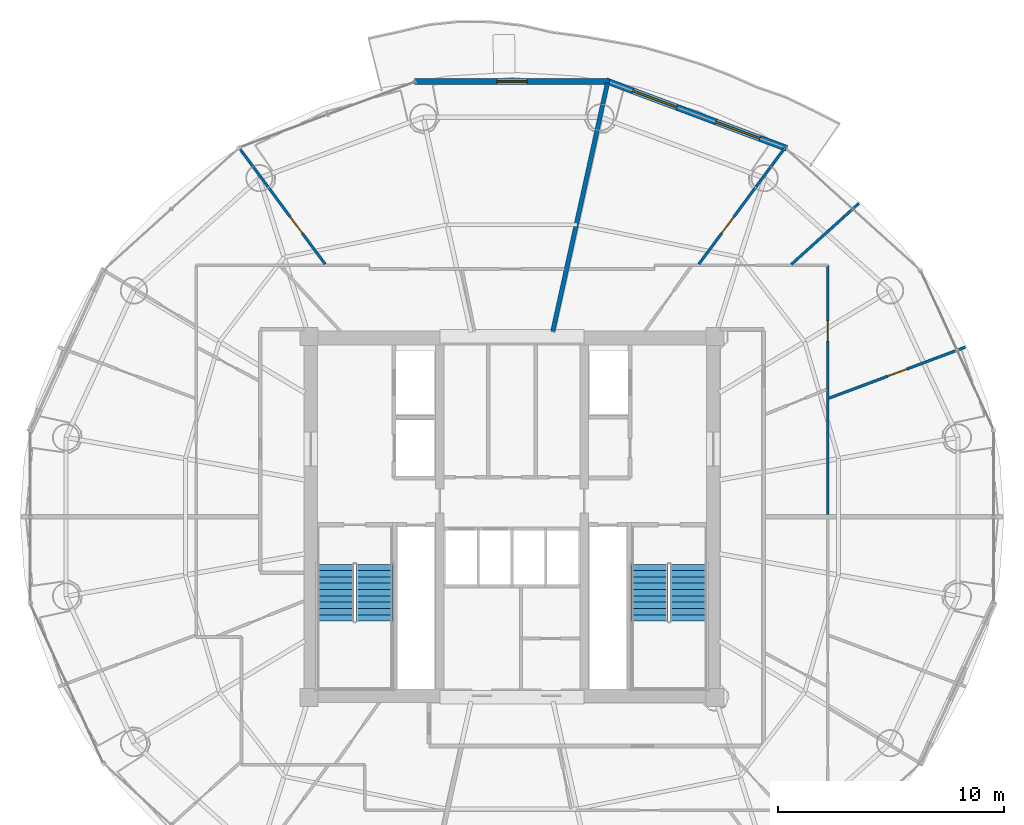
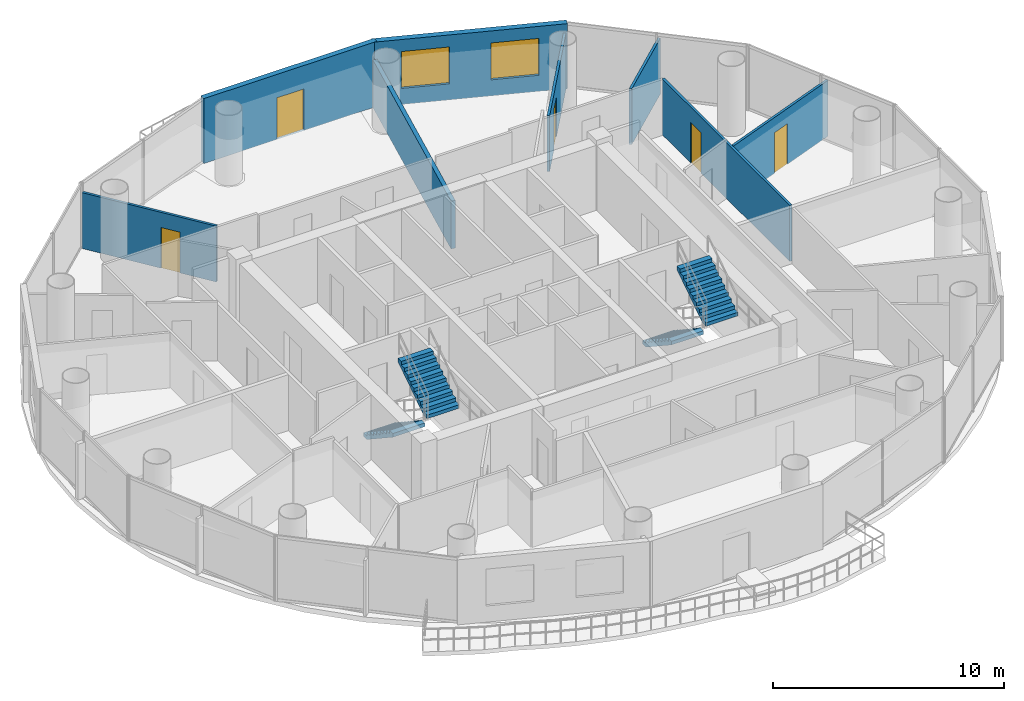
# One storey, part 23 of 26: 8 walls, 5 doors, 4 stair flights, 2 windows, 7 openings, 2 elements without a shape of their own.
"""IFC4 building model written with IfcOpenShell, lengths in metres."""

from ifc_helpers import new_model, si_unit, direction, frame, frame_2d, origin, place, context, subcontext, project, spatial, polyline, rectangle, outline, extrude, source, transform, mapped, material, layer, layer_set, type_object, element, fill, aggregate, save


model = new_model("IFC4")

# Units and contexts
model_context = context("Model", 3, precision=1e-05, world=origin(), true_north=direction((-0.2419218956, 0.970295726276)))
body_context = subcontext(model_context, "Body", "Model", "MODEL_VIEW")
ifc_project = project(units=[si_unit("LENGTHUNIT", "METRE"), si_unit("AREAUNIT", "SQUARE_METRE"), si_unit("VOLUMEUNIT", "CUBIC_METRE"), si_unit("PLANEANGLEUNIT", "RADIAN"), si_unit("MASSUNIT", "GRAM", prefix="KILO")], contexts=[model_context])

# Site, building, storey
site_placement = place(None, origin())
site = spatial("IfcSite", under=ifc_project, at=site_placement, CompositionType="ELEMENT")
building_placement = place(site_placement, origin())
building = spatial("IfcBuilding", under=site, at=building_placement, Name="Cobrevalo Terracotta Tower", CompositionType="ELEMENT")
storey_placement = place(building_placement, frame((0.0, 0.0, 217.10009765625)))
storey = spatial("IfcBuildingStorey", under=building, at=storey_placement, Name="L57", CompositionType="ELEMENT", Elevation=217.10009765625)

# Wall
ifc_material_1 = material(Name="Autoclaved aerated concrete block", Category="concrete")
ifc_layer_1 = layer(ifc_material_1, 0.199951171875)
ifc_layer_set_1 = layer_set([ifc_layer_1], Name="Autoclaved aerated concrete block")
wall_type_1 = type_object("IfcWallType", Name="Fire-rated stair, shaft & demising masonry wall 200 mm", PredefinedType="PARTITIONING", material=ifc_layer_set_1)
wall_1_placement = place(storey_placement, frame((39.810791015625, 35.02685546875, 0.0), z_axis=(0.0, 0.0, 1.0), x_axis=(0.214966857327, 0.976621344356, 0.0)))
element("IfcWall", 1, at=wall_1_placement, inside=storey, type_object=wall_type_1, Name="L57 interior partition IW-L57-DEM-2", PredefinedType="PARTITIONING", context=body_context, shape_type="SweptSolid", body=[
    extrude(rectangle(XDim=11.25830078125, YDim=0.199951171875, at=frame_2d((5.629150390625, 0.0))), origin(), (0.0, 0.0, 1.0), 2.52001953125),
])

# Wall, openings, windows
ifc_layer_2 = layer(ifc_material_1, 0.280029296875)
ifc_layer_set_2 = layer_set([ifc_layer_2], Name="Autoclaved aerated concrete block")
wall_type_2 = type_object("IfcWallType", Name="Insulated tower spandrel & pier wall 280 mm with terracotta rainscreen", PredefinedType="SOLIDWALL", material=ifc_layer_set_2)
wall_2_placement = place(storey_placement, frame((50.169677734375, 43.126953125, 0.0), z_axis=(0.0, 0.0, 1.0), x_axis=(-0.936556918375, 0.350515532672, 0.0)))
wall_2 = element("IfcWall", 2, at=wall_2_placement, inside=storey, type_object=wall_type_2, Name="L57 terracotta rainscreen pier wall S03", PredefinedType="SOLIDWALL", context=body_context, shape_type="SweptSolid", body=[
    extrude(rectangle(XDim=8.539306640625, YDim=0.280029296875, at=frame_2d((4.26953125, 0.0))), origin(), (0.0, 0.0, 1.0), 3.434814453125),
])
opening_1_placement = place(wall_2_placement, frame((1.255615234375, 0.0, 0.85009765625)))
opening_1 = element("IfcOpeningElement", 3, at=opening_1_placement, cuts=wall_2, Name="Opening WN-10", PredefinedType="OPENING", context=body_context, shape_type="SweptSolid", body=[
    extrude(rectangle(XDim=2.10009765625, YDim=1.949951171875, at=frame_2d((1.050048828125, 0.97509765625))), frame((0.0, 0.14990234375, 0.0), z_axis=(0.0, -1.0, 0.0), x_axis=(1.0, 0.0, 0.0)), (0.0, 0.0, 1.0), 0.300048828125),
])
opening_2_placement = place(wall_2_placement, frame((5.18359375, 0.0, 0.85009765625)))
opening_2 = element("IfcOpeningElement", 4, at=opening_2_placement, cuts=wall_2, Name="Opening WN-10", PredefinedType="OPENING", context=body_context, shape_type="SweptSolid", body=[
    extrude(rectangle(XDim=2.10009765625, YDim=1.949951171875, at=frame_2d((1.050048828125, 0.97509765625))), frame((0.0, 0.14990234375, 0.0), z_axis=(0.0, -1.0, 0.0), x_axis=(1.0, 0.0, 0.0)), (0.0, 0.0, 1.0), 0.300048828125),
])
ifc_material_2 = material(Name="Solar-control low-E double glazing", Category="glass")
window_type = type_object("IfcWindowType", Name="Wide panoramic low-E aluminium window 2100x1950", PartitioningType="SINGLE_PANEL", PredefinedType="WINDOW", material=ifc_material_2)
shared_shape_1 = source(origin(), body_context, "Body", "SweptSolid", [
    extrude(rectangle(XDim=2.10009765625, YDim=1.949951171875, at=frame_2d((1.050048828125, 0.97509765625))), frame((0.0, 0.030029296875, 0.0), z_axis=(0.0, -1.0, 0.0), x_axis=(1.0, 0.0, 0.0)), (0.0, 0.0, 1.0), 0.06005859375),
])
window_1_placement = place(opening_1_placement, origin())
window_1 = element("IfcWindow", 5, at=window_1_placement, inside=storey, type_object=window_type, Name="L57 suite window S03A", OverallHeight=1.949951171875, OverallWidth=2.10009765625, PartitioningType="SINGLE_PANEL", PredefinedType="WINDOW", context=body_context, shape_type="MappedRepresentation", body=[
    mapped(shared_shape_1, transform((0.0, 0.0, 0.0), scale=1.0)),
])
fill(opening_1, window_1)
window_2_placement = place(opening_2_placement, origin())
window_2 = element("IfcWindow", 6, at=window_2_placement, inside=storey, type_object=window_type, Name="L57 suite window S03B", OverallHeight=1.949951171875, OverallWidth=2.10009765625, PartitioningType="SINGLE_PANEL", PredefinedType="WINDOW", context=body_context, shape_type="MappedRepresentation", body=[
    mapped(shared_shape_1, transform((0.0, 0.0, 0.0), scale=1.0)),
])
fill(opening_2, window_2)

# Wall, opening, door
ifc_layer_3 = layer(ifc_material_1, 0.260009765625)
ifc_layer_set_3 = layer_set([ifc_layer_3], Name="Autoclaved aerated concrete block")
wall_type_3 = type_object("IfcWallType", Name="Recessed balcony loggia insulated exterior wall 260 mm", PredefinedType="SOLIDWALL", material=ifc_layer_set_3)
wall_3_placement = place(storey_placement, frame((42.3271484375, 46.092041015625, 0.0), z_axis=(0.0, 0.0, 1.0), x_axis=(-1.0, 0.0, 0.0)))
wall_3 = element("IfcWall", 7, at=wall_3_placement, inside=storey, type_object=wall_type_3, Name="L57 balcony loggia wall S04", PredefinedType="SOLIDWALL", context=body_context, shape_type="SweptSolid", body=[
    extrude(rectangle(XDim=8.654296875, YDim=0.260009765625, at=frame_2d((4.3271484375, 0.0))), origin(), (0.0, 0.0, 1.0), 3.434814453125),
])
opening_3_placement = place(wall_3_placement, frame((3.652099609375, 0.0, 0.0)))
opening_3 = element("IfcOpeningElement", 8, at=opening_3_placement, cuts=wall_3, Name="Opening ED-05", PredefinedType="OPENING", context=body_context, shape_type="SweptSolid", body=[
    extrude(rectangle(XDim=1.35009765625, YDim=2.199951171875, at=frame_2d((0.675048828125, 1.10009765625))), frame((0.0, 0.14013671875, 0.0), z_axis=(0.0, -1.0, 0.0), x_axis=(1.0, 0.0, 0.0)), (0.0, 0.0, 1.0), 0.280029296875),
])
ifc_material_3 = material(Name="Anodized aluminium and laminated glass", Category="aluminium")
door_type_1 = type_object("IfcDoorType", Name="Suite balcony acoustic glazed terrace door 1350x2200", OperationType="NOTDEFINED", PredefinedType="DOOR", material=ifc_material_3)
shared_shape_2 = source(origin(), body_context, "Body", "SweptSolid", [
    extrude(rectangle(XDim=1.35009765625, YDim=2.199951171875, at=frame_2d((0.675048828125, 1.10009765625))), frame((0.0, 0.02490234375, 0.0), z_axis=(0.0, -1.0, 0.0), x_axis=(1.0, 0.0, 0.0)), (0.0, 0.0, 1.0), 0.050048828125),
])
door_1_placement = place(opening_3_placement, frame((1.35009765625, 0.0, 0.0), z_axis=(0.0, 0.0, 1.0), x_axis=(-1.0, 0.0, 0.0)))
door_1 = element("IfcDoor", 9, at=door_1_placement, inside=storey, type_object=door_type_1, Name="L57 glazed balcony terrace door 1", OperationType="SINGLE_SWING_LEFT", OverallHeight=2.199951171875, OverallWidth=1.35009765625, PredefinedType="DOOR", context=body_context, shape_type="MappedRepresentation", body=[
    mapped(shared_shape_2, transform((0.0, 0.0, 0.0), scale=1.0)),
])
fill(opening_3, door_1)

ifc_material_4 = material(Name="Gypsum board on steel stud", Category="steel")
ifc_layer_4 = layer(ifc_material_4, 0.1201171875)
ifc_layer_set_4 = layer_set([ifc_layer_4], Name="Gypsum board on steel stud")
wall_type_4 = type_object("IfcWallType", Name="Residential internal acoustic stud partition 120 mm", PredefinedType="PARTITIONING", material=ifc_layer_set_4)
wall_4_placement = place(storey_placement, frame((51.9951171875, 37.945068359375, 0.0), z_axis=(0.0, 0.0, 1.0), x_axis=(0.0, -1.0, 0.0)))
wall_4 = element("IfcWall", 10, at=wall_4_placement, inside=storey, type_object=wall_type_4, Name="L57 interior partition IW-L57-U1-RING3_0", PredefinedType="PARTITIONING", context=body_context, shape_type="SweptSolid", body=[
    extrude(rectangle(XDim=11.04296875, YDim=0.1201171875, at=frame_2d((5.521484375, 0.0))), origin(), (0.0, 0.0, 1.0), 2.950927734375),
])
opening_4_placement = place(wall_4_placement, frame((2.460205078125, 0.0, 0.0)))
opening_4 = element("IfcOpeningElement", 11, at=opening_4_placement, cuts=wall_4, Name="Opening ID-12", PredefinedType="OPENING", context=body_context, shape_type="SweptSolid", body=[
    extrude(rectangle(XDim=0.89990234375, YDim=2.14990234375, at=frame_2d((0.449951171875, 1.074951171875))), frame((0.0, 0.070068359375, 0.0), z_axis=(0.0, -1.0, 0.0), x_axis=(1.0, 0.0, 0.0)), (0.0, 0.0, 1.0), 0.14013671875),
])
ifc_material_5 = material(Name="Engineered timber", Category="wood")
door_type_2 = type_object("IfcDoorType", Name="Internal residence & suite timber door 900x2150", OperationType="NOTDEFINED", PredefinedType="DOOR", material=ifc_material_5)
shared_shape_3 = source(origin(), body_context, "Body", "SweptSolid", [
    extrude(rectangle(XDim=0.89990234375, YDim=2.14990234375, at=frame_2d((0.449951171875, 1.074951171875))), frame((0.0, 0.02490234375, 0.0), z_axis=(0.0, -1.0, 0.0), x_axis=(1.0, 0.0, 0.0)), (0.0, 0.0, 1.0), 0.050048828125),
])
door_2_placement = place(opening_4_placement, origin())
door_2 = element("IfcDoor", 12, at=door_2_placement, inside=storey, type_object=door_type_2, Name="Flat L57A Master Bedroom internal door", OperationType="SINGLE_SWING_RIGHT", OverallHeight=2.14990234375, OverallWidth=0.89990234375, PredefinedType="DOOR", context=body_context, shape_type="MappedRepresentation", body=[
    mapped(shared_shape_3, transform((0.0, 0.0, 0.0), scale=1.0)),
])
fill(opening_4, door_2)

wall_5_placement = place(storey_placement, frame((52.052978515625, 32.060302734375, 0.0), z_axis=(0.0, 0.0, 1.0), x_axis=(0.936547148815, 0.350541635255, 0.0)))
wall_5 = element("IfcWall", 13, at=wall_5_placement, inside=storey, type_object=wall_type_4, Name="L57 interior partition IW-L57-U1-ORAD1", PredefinedType="PARTITIONING", context=body_context, shape_type="SweptSolid", body=[
    extrude(rectangle(XDim=6.438720703125, YDim=0.1201171875, at=frame_2d((3.21923828125, 0.0))), origin(), (0.0, 0.0, 1.0), 2.950927734375),
])
opening_5_placement = place(wall_5_placement, frame((2.769287109375, 0.0, 0.0)))
opening_5 = element("IfcOpeningElement", 14, at=opening_5_placement, cuts=wall_5, Name="Opening ID-12", PredefinedType="OPENING", context=body_context, shape_type="SweptSolid", body=[
    extrude(rectangle(XDim=0.89990234375, YDim=2.14990234375, at=frame_2d((0.449951171875, 1.074951171875))), frame((0.0, 0.070068359375, 0.0), z_axis=(0.0, -1.0, 0.0), x_axis=(1.0, 0.0, 0.0)), (0.0, 0.0, 1.0), 0.14013671875),
])
door_3_placement = place(opening_5_placement, frame((0.89990234375, 0.0, 0.0), z_axis=(0.0, 0.0, 1.0), x_axis=(-1.0, 0.0, 0.0)))
door_3 = element("IfcDoor", 15, at=door_3_placement, inside=storey, type_object=door_type_2, Name="Flat L57A Living and Dining Room internal door", OperationType="SINGLE_SWING_LEFT", OverallHeight=2.14990234375, OverallWidth=0.89990234375, PredefinedType="DOOR", context=body_context, shape_type="MappedRepresentation", body=[
    mapped(shared_shape_3, transform((0.0, 0.0, 0.0), scale=1.0)),
])
fill(opening_5, door_3)

# Wall
wall_6_placement = place(storey_placement, frame((50.379150390625, 37.986572265625, 0.0), z_axis=(0.0, 0.0, 1.0), x_axis=(0.741946116474, 0.67045951425, 0.0)))
element("IfcWall", 16, at=wall_6_placement, inside=storey, type_object=wall_type_4, Name="L57 interior partition IW-L57-U1-ORAD2", PredefinedType="PARTITIONING", context=body_context, shape_type="SweptSolid", body=[
    extrude(rectangle(XDim=4.030029296875, YDim=0.1201171875, at=frame_2d((2.01513671875, 0.0))), origin(), (0.0, 0.0, 1.0), 2.950927734375),
])

# Wall, opening, door
wall_7_placement = place(storey_placement, frame((46.277587890625, 37.994873046875, 0.0), z_axis=(0.0, 0.0, 1.0), x_axis=(0.594518724985, 0.80408176552, 0.0)))
wall_7 = element("IfcWall", 17, at=wall_7_placement, inside=storey, type_object=wall_type_4, Name="L57 interior partition IW-L57-U1-ORAD3", PredefinedType="PARTITIONING", context=body_context, shape_type="SweptSolid", body=[
    extrude(rectangle(XDim=6.344482421875, YDim=0.1201171875, at=frame_2d((3.17236328125, 0.0))), origin(), (0.0, 0.0, 1.0), 2.950927734375),
])
opening_6_placement = place(wall_7_placement, frame((1.714599609375, 0.0, 0.0)))
opening_6 = element("IfcOpeningElement", 18, at=opening_6_placement, cuts=wall_7, Name="Opening ID-12", PredefinedType="OPENING", context=body_context, shape_type="SweptSolid", body=[
    extrude(rectangle(XDim=0.89990234375, YDim=2.14990234375, at=frame_2d((0.449951171875, 1.074951171875))), frame((0.0, 0.070068359375, 0.0), z_axis=(0.0, -1.0, 0.0), x_axis=(1.0, 0.0, 0.0)), (0.0, 0.0, 1.0), 0.14013671875),
])
door_4_placement = place(opening_6_placement, origin())
door_4 = element("IfcDoor", 19, at=door_4_placement, inside=storey, type_object=door_type_2, Name="Flat L57A Principal Guest Bedroom internal door", OperationType="SINGLE_SWING_RIGHT", OverallHeight=2.14990234375, OverallWidth=0.89990234375, PredefinedType="DOOR", context=body_context, shape_type="MappedRepresentation", body=[
    mapped(shared_shape_3, transform((0.0, 0.0, 0.0), scale=1.0)),
])
fill(opening_6, door_4)

wall_8_placement = place(storey_placement, frame((29.722412109375, 37.994873046875, 0.0), z_axis=(0.0, 0.0, 1.0), x_axis=(-0.594518724985, 0.80408176552, 0.0)))
wall_8 = element("IfcWall", 20, at=wall_8_placement, inside=storey, type_object=wall_type_4, Name="L57 interior partition IW-L57-U2-ORAD1", PredefinedType="PARTITIONING", context=body_context, shape_type="SweptSolid", body=[
    extrude(rectangle(XDim=6.344482421875, YDim=0.1201171875, at=frame_2d((3.17236328125, 0.0))), origin(), (0.0, 0.0, 1.0), 2.950927734375),
])
opening_7_placement = place(wall_8_placement, frame((1.714599609375, 0.0, 0.0)))
opening_7 = element("IfcOpeningElement", 21, at=opening_7_placement, cuts=wall_8, Name="Opening ID-12", PredefinedType="OPENING", context=body_context, shape_type="SweptSolid", body=[
    extrude(rectangle(XDim=0.89990234375, YDim=2.14990234375, at=frame_2d((0.449951171875, 1.074951171875))), frame((0.0, 0.070068359375, 0.0), z_axis=(0.0, -1.0, 0.0), x_axis=(1.0, 0.0, 0.0)), (0.0, 0.0, 1.0), 0.14013671875),
])
door_5_placement = place(opening_7_placement, frame((0.89990234375, 0.0, 0.0), z_axis=(0.0, 0.0, 1.0), x_axis=(-1.0, 0.0, 0.0)))
door_5 = element("IfcDoor", 22, at=door_5_placement, inside=storey, type_object=door_type_2, Name="Flat L57B Penthouse Living and Dining Room internal door", OperationType="SINGLE_SWING_LEFT", OverallHeight=2.14990234375, OverallWidth=0.89990234375, PredefinedType="DOOR", context=body_context, shape_type="MappedRepresentation", body=[
    mapped(shared_shape_3, transform((0.0, 0.0, 0.0), scale=1.0)),
])
fill(opening_7, door_5)

# Stair, stair flights
ifc_material_6 = material(Name="Concrete C50", Category="concrete")
stair_type = type_object("IfcStairType", Name="Core protected escape dogleg stair 1600", PredefinedType="HALF_TURN_STAIR", material=ifc_material_6)
stair_1_placement = place(storey_placement, origin())
stair_1 = element("IfcStair", 23, at=stair_1_placement, inside=storey, type_object=stair_type, Name="L57 Protected exit stair ST-1", PredefinedType="HALF_TURN_STAIR")
stair_flight_type = type_object("IfcStairFlightType", Name="Core protected escape dogleg stair 1600 flight", PredefinedType="STRAIGHT", material=ifc_material_6)
stair_flight_1_placement = place(storey_placement, frame((30.175048828125, 24.699951171875, 0.0), z_axis=(0.0, 0.0, 1.0), x_axis=(0.0, -1.0, 0.0)))
stair_flight_1 = element("IfcStairFlight", 24, at=stair_flight_1_placement, type_object=stair_flight_type, Name="ST-1 flight 1", NumberOfRisers=10, NumberOfTreads=9, PredefinedType="STRAIGHT", RiserHeight=0.185, TreadLength=0.28, context=body_context, shape_type="SweptSolid", body=[
    extrude(outline(polyline([(0.0, 0.0), (0.0, 0.18505859375), (0.280029296875, 0.18505859375), (0.280029296875, 0.3701171875), (0.56005859375, 0.3701171875), (0.56005859375, 0.554931640625), (0.840087890625, 0.554931640625), (0.840087890625, 0.739990234375), (1.1201171875, 0.739990234375), (1.1201171875, 0.925048828125), (1.39990234375, 0.925048828125), (1.39990234375, 1.110107421875), (1.679931640625, 1.110107421875), (1.679931640625, 1.294921875), (1.9599609375, 1.294921875), (1.9599609375, 1.47998046875), (2.239990234375, 1.47998046875), (2.239990234375, 1.6650390625), (2.52001953125, 1.6650390625), (2.52001953125, 1.85009765625), (2.52001953125, 1.473388671875), (0.2900390625, 0.0), (0.0, 0.0)])), frame((0.0, 0.800048828125, 0.0), z_axis=(0.0, -1.0, 0.0), x_axis=(1.0, 0.0, 0.0)), (0.0, 0.0, 1.0), 1.60009765625),
])
stair_flight_2_placement = place(storey_placement, frame((31.89501953125, 22.179931640625, 1.849853515625), z_axis=(0.0, 0.0, 1.0), x_axis=(0.0, 1.0, 0.0)))
stair_flight_2 = element("IfcStairFlight", 25, at=stair_flight_2_placement, type_object=stair_flight_type, Name="ST-1 flight 2", NumberOfRisers=10, NumberOfTreads=9, PredefinedType="STRAIGHT", RiserHeight=0.185, TreadLength=0.28, context=body_context, shape_type="SweptSolid", body=[
    extrude(outline(polyline([(0.0, 0.0), (0.0, 0.18505859375), (0.280029296875, 0.18505859375), (0.280029296875, 0.3701171875), (0.56005859375, 0.3701171875), (0.56005859375, 0.554931640625), (0.840087890625, 0.554931640625), (0.840087890625, 0.739990234375), (1.1201171875, 0.739990234375), (1.1201171875, 0.925048828125), (1.39990234375, 0.925048828125), (1.39990234375, 1.110107421875), (1.679931640625, 1.110107421875), (1.679931640625, 1.294921875), (1.9599609375, 1.294921875), (1.9599609375, 1.47998046875), (2.239990234375, 1.47998046875), (2.239990234375, 1.6650390625), (2.52001953125, 1.6650390625), (2.52001953125, 1.85009765625), (2.52001953125, 1.473388671875), (0.2900390625, 0.0), (0.0, 0.0)])), frame((0.0, 0.800048828125, 0.0), z_axis=(0.0, -1.0, 0.0), x_axis=(1.0, 0.0, 0.0)), (0.0, 0.0, 1.0), 1.60009765625),
])
aggregate(stair_1, [stair_flight_1, stair_flight_2])

stair_2_placement = place(storey_placement, origin())
stair_2 = element("IfcStair", 26, at=stair_2_placement, inside=storey, type_object=stair_type, Name="L57 Protected exit stair ST-2", PredefinedType="HALF_TURN_STAIR")
stair_flight_3_placement = place(storey_placement, frame((44.10498046875, 24.699951171875, 0.0), z_axis=(0.0, 0.0, 1.0), x_axis=(0.0, -1.0, 0.0)))
stair_flight_3 = element("IfcStairFlight", 27, at=stair_flight_3_placement, type_object=stair_flight_type, Name="ST-2 flight 1", NumberOfRisers=10, NumberOfTreads=9, PredefinedType="STRAIGHT", RiserHeight=0.185, TreadLength=0.28, context=body_context, shape_type="SweptSolid", body=[
    extrude(outline(polyline([(0.0, 0.0), (0.0, 0.18505859375), (0.280029296875, 0.18505859375), (0.280029296875, 0.3701171875), (0.56005859375, 0.3701171875), (0.56005859375, 0.554931640625), (0.840087890625, 0.554931640625), (0.840087890625, 0.739990234375), (1.1201171875, 0.739990234375), (1.1201171875, 0.925048828125), (1.39990234375, 0.925048828125), (1.39990234375, 1.110107421875), (1.679931640625, 1.110107421875), (1.679931640625, 1.294921875), (1.9599609375, 1.294921875), (1.9599609375, 1.47998046875), (2.239990234375, 1.47998046875), (2.239990234375, 1.6650390625), (2.52001953125, 1.6650390625), (2.52001953125, 1.85009765625), (2.52001953125, 1.473388671875), (0.2900390625, 0.0), (0.0, 0.0)])), frame((0.0, 0.800048828125, 0.0), z_axis=(0.0, -1.0, 0.0), x_axis=(1.0, 0.0, 0.0)), (0.0, 0.0, 1.0), 1.60009765625),
])
stair_flight_4_placement = place(storey_placement, frame((45.824951171875, 22.179931640625, 1.849853515625), z_axis=(0.0, 0.0, 1.0), x_axis=(0.0, 1.0, 0.0)))
stair_flight_4 = element("IfcStairFlight", 28, at=stair_flight_4_placement, type_object=stair_flight_type, Name="ST-2 flight 2", NumberOfRisers=10, NumberOfTreads=9, PredefinedType="STRAIGHT", RiserHeight=0.185, TreadLength=0.28, context=body_context, shape_type="SweptSolid", body=[
    extrude(outline(polyline([(0.0, 0.0), (0.0, 0.18505859375), (0.280029296875, 0.18505859375), (0.280029296875, 0.3701171875), (0.56005859375, 0.3701171875), (0.56005859375, 0.554931640625), (0.840087890625, 0.554931640625), (0.840087890625, 0.739990234375), (1.1201171875, 0.739990234375), (1.1201171875, 0.925048828125), (1.39990234375, 0.925048828125), (1.39990234375, 1.110107421875), (1.679931640625, 1.110107421875), (1.679931640625, 1.294921875), (1.9599609375, 1.294921875), (1.9599609375, 1.47998046875), (2.239990234375, 1.47998046875), (2.239990234375, 1.6650390625), (2.52001953125, 1.6650390625), (2.52001953125, 1.85009765625), (2.52001953125, 1.473388671875), (0.2900390625, 0.0), (0.0, 0.0)])), frame((0.0, 0.800048828125, 0.0), z_axis=(0.0, -1.0, 0.0), x_axis=(1.0, 0.0, 0.0)), (0.0, 0.0, 1.0), 1.60009765625),
])
aggregate(stair_2, [stair_flight_3, stair_flight_4])

save(model, "model.ifc")
